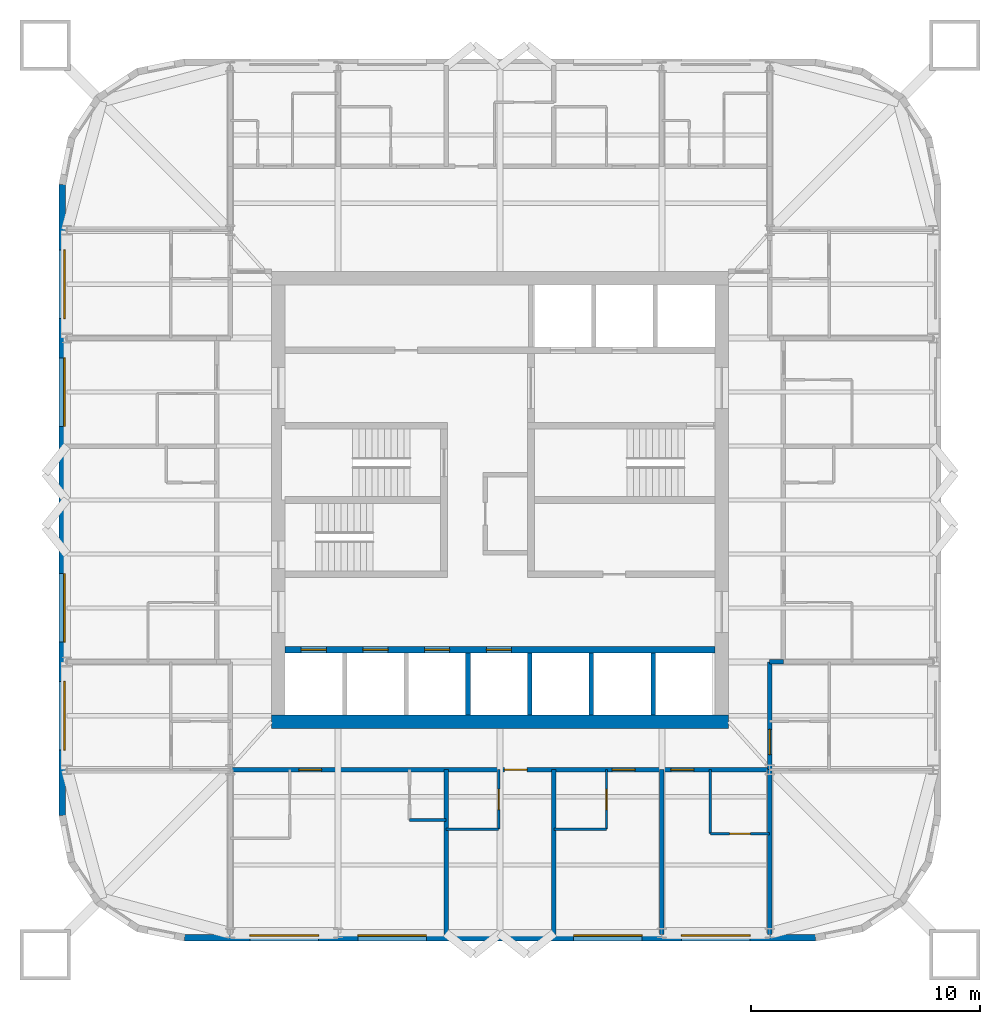
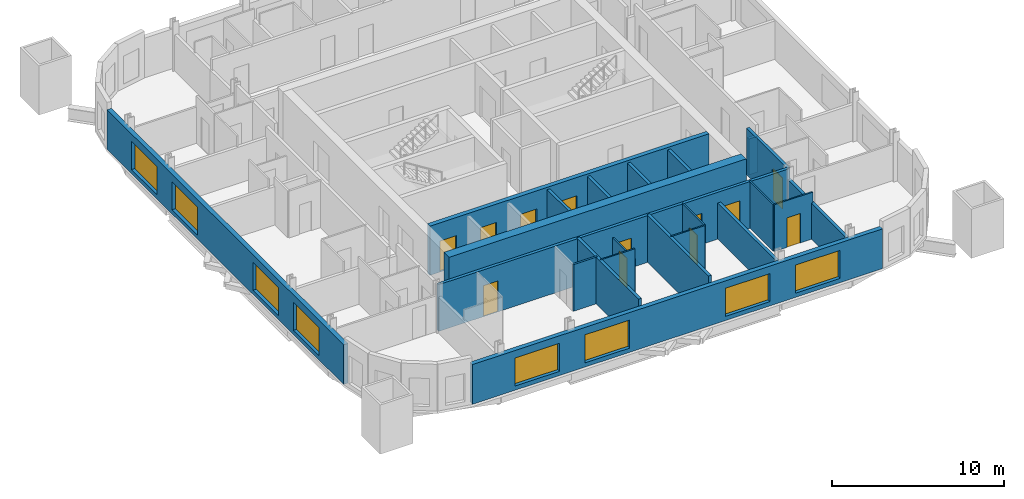
# One storey, part 3 of 9: 22 walls, 12 doors, 8 windows, 20 openings.
"""IFC4 building model written with IfcOpenShell, lengths in metres."""

from ifc_helpers import new_model, si_unit, direction, frame, frame_2d, origin, place, context, subcontext, project, spatial, rectangle, extrude, material, layer, layer_set, type_object, element, fill, save


model = new_model("IFC4")

# Units and contexts
model_context = context("Model", 3, precision=1e-05, world=origin(), true_north=direction((0.0, 1.0)))
body_context = subcontext(model_context, "Body", "Model", "MODEL_VIEW")
ifc_project = project(units=[si_unit("LENGTHUNIT", "METRE"), si_unit("AREAUNIT", "SQUARE_METRE"), si_unit("VOLUMEUNIT", "CUBIC_METRE"), si_unit("PLANEANGLEUNIT", "RADIAN"), si_unit("MASSUNIT", "GRAM", prefix="KILO")], contexts=[model_context])

# Site, building, storey
site_placement = place(None, origin())
site = spatial("IfcSite", under=ifc_project, at=site_placement, CompositionType="ELEMENT")
building_placement = place(site_placement, origin())
building = spatial("IfcBuilding", under=site, at=building_placement, Name="Turquesa Mirador Hotel Tower", CompositionType="ELEMENT")
storey_placement = place(building_placement, frame((0.0, 0.0, 189.800048828125)))
storey = spatial("IfcBuildingStorey", under=building, at=storey_placement, Name="L51", CompositionType="ELEMENT", Elevation=189.800048828125)

# Walls
ifc_material_1 = material(Name="Gypsum board on steel studs", Category="steel")
ifc_layer_1 = layer(ifc_material_1, 0.10009765625)
ifc_layer_set_1 = layer_set([ifc_layer_1], Name="BATHROOM WALL 100")
wall_type_1 = type_object("IfcWallType", Name="BATHROOM WALL 100", PredefinedType="PARTITIONING", material=ifc_layer_set_1)
wall_1_placement = place(storey_placement, frame((52.639892578125, 30.60009765625, 0.0), z_axis=(0.0, 0.0, 1.0), x_axis=(1.0, 0.0, 0.0)))
element("IfcWall", 1, at=wall_1_placement, inside=storey, type_object=wall_type_1, Name="Partition L51 005", PredefinedType="PARTITIONING", context=body_context, shape_type="SweptSolid", body=[
    extrude(rectangle(XDim=2.300048828125, YDim=0.10009765625, at=frame_2d((1.14990234375, 0.0))), origin(), (0.0, 0.0, 1.0), 3.329833984375),
])
wall_2_placement = place(storey_placement, frame((57.360107421875, 30.60009765625, 0.0), z_axis=(0.0, 0.0, 1.0), x_axis=(1.0, 0.0, 0.0)))
element("IfcWall", 2, at=wall_2_placement, inside=storey, type_object=wall_type_1, Name="Partition L51 006", PredefinedType="PARTITIONING", context=body_context, shape_type="SweptSolid", body=[
    extrude(rectangle(XDim=2.2998046875, YDim=0.10009765625, at=frame_2d((1.14990234375, 0.0))), origin(), (0.0, 0.0, 1.0), 3.329833984375),
])

# Wall, opening, door
wall_3_placement = place(storey_placement, frame((64.199951171875, 30.39990234375, 0.0), z_axis=(0.0, 0.0, 1.0), x_axis=(1.0, 0.0, 0.0)))
wall_3 = element("IfcWall", 3, at=wall_3_placement, inside=storey, type_object=wall_type_1, Name="Partition L51 007", PredefinedType="PARTITIONING", context=body_context, shape_type="SweptSolid", body=[
    extrude(rectangle(XDim=2.60009765625, YDim=0.10009765625, at=frame_2d((1.300048828125, 0.0))), origin(), (0.0, 0.0, 1.0), 3.329833984375),
])
opening_1_placement = place(wall_3_placement, frame((0.85009765625, 0.0, 0.0)))
opening_1 = element("IfcOpeningElement", 4, at=opening_1_placement, cuts=wall_3, Name="Opening D02", PredefinedType="OPENING", context=body_context, shape_type="SweptSolid", body=[
    extrude(rectangle(XDim=0.89990234375, YDim=2.10009765625, at=frame_2d((0.449951171875, 1.050048828125))), frame((0.0, 0.06005859375, 0.0), z_axis=(0.0, -1.0, 0.0), x_axis=(1.0, 0.0, 0.0)), (0.0, 0.0, 1.0), 0.1201171875),
])
ifc_material_2 = material(Name="Timber veneered door", Category="wood")
door_type_1 = type_object("IfcDoorType", Name="DOOR 900X2100 EN-SUITE", OperationType="SINGLE_SWING_RIGHT", PredefinedType="DOOR", material=ifc_material_2)
door_1_placement = place(opening_1_placement, origin())
door_1 = element("IfcDoor", 5, at=door_1_placement, inside=storey, type_object=door_type_1, Name="Door 5109B", OperationType="SINGLE_SWING_RIGHT", OverallHeight=2.10009765625, OverallWidth=0.89990234375, PredefinedType="DOOR", context=body_context, shape_type="SweptSolid", body=[
    extrude(rectangle(XDim=0.89990234375, YDim=2.10009765625, at=frame_2d((0.449951171875, 1.050048828125))), frame((0.0, 0.02490234375, 0.0), z_axis=(0.0, -1.0, 0.0), x_axis=(1.0, 0.0, 0.0)), (0.0, 0.0, 1.0), 0.050048828125),
])
fill(opening_1, door_1)

wall_4_placement = place(storey_placement, frame((54.93994140625, 30.60009765625, 0.0), z_axis=(0.0, 0.0, 1.0), x_axis=(0.0, 1.0, 0.0)))
wall_4 = element("IfcWall", 6, at=wall_4_placement, inside=storey, type_object=wall_type_1, Name="Partition L51 041", PredefinedType="PARTITIONING", context=body_context, shape_type="SweptSolid", body=[
    extrude(rectangle(XDim=2.599853515625, YDim=0.10009765625, at=frame_2d((1.2998046875, 0.0))), origin(), (0.0, 0.0, 1.0), 2.572998046875),
])
opening_2_placement = place(wall_4_placement, frame((0.85009765625, 0.0, 0.0)))
opening_2 = element("IfcOpeningElement", 7, at=opening_2_placement, cuts=wall_4, Name="Opening D02", PredefinedType="OPENING", context=body_context, shape_type="SweptSolid", body=[
    extrude(rectangle(XDim=0.89990234375, YDim=2.10009765625, at=frame_2d((0.449951171875, 1.050048828125))), frame((0.0, 0.06005859375, 0.0), z_axis=(0.0, -1.0, 0.0), x_axis=(1.0, 0.0, 0.0)), (0.0, 0.0, 1.0), 0.1201171875),
])
door_2_placement = place(opening_2_placement, origin())
door_2 = element("IfcDoor", 8, at=door_2_placement, inside=storey, type_object=door_type_1, Name="Door 5107B", OperationType="SINGLE_SWING_RIGHT", OverallHeight=2.10009765625, OverallWidth=0.89990234375, PredefinedType="DOOR", context=body_context, shape_type="SweptSolid", body=[
    extrude(rectangle(XDim=0.89990234375, YDim=2.10009765625, at=frame_2d((0.449951171875, 1.050048828125))), frame((0.0, 0.02490234375, 0.0), z_axis=(0.0, -1.0, 0.0), x_axis=(1.0, 0.0, 0.0)), (0.0, 0.0, 1.0), 0.050048828125),
])
fill(opening_2, door_2)

wall_5_placement = place(storey_placement, frame((59.659912109375, 30.60009765625, 0.0), z_axis=(0.0, 0.0, 1.0), x_axis=(0.0, 1.0, 0.0)))
wall_5 = element("IfcWall", 9, at=wall_5_placement, inside=storey, type_object=wall_type_1, Name="Partition L51 078", PredefinedType="PARTITIONING", context=body_context, shape_type="SweptSolid", body=[
    extrude(rectangle(XDim=2.599853515625, YDim=0.10009765625, at=frame_2d((1.2998046875, 0.0))), origin(), (0.0, 0.0, 1.0), 3.329833984375),
])
opening_3_placement = place(wall_5_placement, frame((0.85009765625, 0.0, 0.0)))
opening_3 = element("IfcOpeningElement", 10, at=opening_3_placement, cuts=wall_5, Name="Opening D02", PredefinedType="OPENING", context=body_context, shape_type="SweptSolid", body=[
    extrude(rectangle(XDim=0.89990234375, YDim=2.10009765625, at=frame_2d((0.449951171875, 1.050048828125))), frame((0.0, 0.06005859375, 0.0), z_axis=(0.0, -1.0, 0.0), x_axis=(1.0, 0.0, 0.0)), (0.0, 0.0, 1.0), 0.1201171875),
])
door_3_placement = place(opening_3_placement, origin())
door_3 = element("IfcDoor", 11, at=door_3_placement, inside=storey, type_object=door_type_1, Name="Door 5108B", OperationType="SINGLE_SWING_RIGHT", OverallHeight=2.10009765625, OverallWidth=0.89990234375, PredefinedType="DOOR", context=body_context, shape_type="SweptSolid", body=[
    extrude(rectangle(XDim=0.89990234375, YDim=2.10009765625, at=frame_2d((0.449951171875, 1.050048828125))), frame((0.0, 0.02490234375, 0.0), z_axis=(0.0, -1.0, 0.0), x_axis=(1.0, 0.0, 0.0)), (0.0, 0.0, 1.0), 0.050048828125),
])
fill(opening_3, door_3)

# Wall
wall_6_placement = place(storey_placement, frame((64.199951171875, 30.39990234375, 0.0), z_axis=(0.0, 0.0, 1.0), x_axis=(0.0, 1.0, 0.0)))
element("IfcWall", 12, at=wall_6_placement, inside=storey, type_object=wall_type_1, Name="Partition L51 083", PredefinedType="PARTITIONING", context=body_context, shape_type="SweptSolid", body=[
    extrude(rectangle(XDim=2.800048828125, YDim=0.10009765625, at=frame_2d((1.39990234375, 0.0))), origin(), (0.0, 0.0, 1.0), 3.329833984375),
])

# Wall, openings, doors
ifc_material_3 = material(Name="Concrete C50/60", Category="concrete")
ifc_layer_2 = layer(ifc_material_3, 0.300048828125)
ifc_layer_set_2 = layer_set([ifc_layer_2], Name="CORE INNER WALL 300")
wall_type_2 = type_object("IfcWallType", Name="CORE INNER WALL 300", PredefinedType="SHEAR", material=ifc_layer_set_2)
wall_7_placement = place(storey_placement, frame((45.60009765625, 38.449951171875, 0.0), z_axis=(0.0, 0.0, 1.0), x_axis=(1.0, 0.0, 0.0)))
wall_7 = element("IfcWall", 13, at=wall_7_placement, inside=storey, type_object=wall_type_2, Name="Core wall SL", PredefinedType="SHEAR", context=body_context, shape_type="SweptSolid", body=[
    extrude(rectangle(XDim=18.7998046875, YDim=0.300048828125, at=frame_2d((9.39990234375, 0.0))), origin(), (0.0, 0.0, 1.0), 3.5),
])
opening_4_placement = place(wall_7_placement, frame((0.699951171875, 0.0, 0.0)))
opening_4 = element("IfcOpeningElement", 14, at=opening_4_placement, cuts=wall_7, Name="Opening LD", PredefinedType="OPENING", context=body_context, shape_type="SweptSolid", body=[
    extrude(rectangle(XDim=1.10009765625, YDim=2.199951171875, at=frame_2d((0.550048828125, 1.10009765625))), frame((0.0, 0.159912109375, 0.0), z_axis=(0.0, -1.0, 0.0), x_axis=(1.0, 0.0, 0.0)), (0.0, 0.0, 1.0), 0.320068359375),
])
opening_5_placement = place(wall_7_placement, frame((3.39990234375, 0.0, 0.0)))
opening_5 = element("IfcOpeningElement", 15, at=opening_5_placement, cuts=wall_7, Name="Opening LD", PredefinedType="OPENING", context=body_context, shape_type="SweptSolid", body=[
    extrude(rectangle(XDim=1.10009765625, YDim=2.199951171875, at=frame_2d((0.550048828125, 1.10009765625))), frame((0.0, 0.159912109375, 0.0), z_axis=(0.0, -1.0, 0.0), x_axis=(1.0, 0.0, 0.0)), (0.0, 0.0, 1.0), 0.320068359375),
])
opening_6_placement = place(wall_7_placement, frame((6.10009765625, 0.0, 0.0)))
opening_6 = element("IfcOpeningElement", 16, at=opening_6_placement, cuts=wall_7, Name="Opening LD", PredefinedType="OPENING", context=body_context, shape_type="SweptSolid", body=[
    extrude(rectangle(XDim=1.10009765625, YDim=2.199951171875, at=frame_2d((0.550048828125, 1.10009765625))), frame((0.0, 0.159912109375, 0.0), z_axis=(0.0, -1.0, 0.0), x_axis=(1.0, 0.0, 0.0)), (0.0, 0.0, 1.0), 0.320068359375),
])
opening_7_placement = place(wall_7_placement, frame((8.800048828125, 0.0, 0.0)))
opening_7 = element("IfcOpeningElement", 17, at=opening_7_placement, cuts=wall_7, Name="Opening LD", PredefinedType="OPENING", context=body_context, shape_type="SweptSolid", body=[
    extrude(rectangle(XDim=1.10009765625, YDim=2.199951171875, at=frame_2d((0.550048828125, 1.10009765625))), frame((0.0, 0.159912109375, 0.0), z_axis=(0.0, -1.0, 0.0), x_axis=(1.0, 0.0, 0.0)), (0.0, 0.0, 1.0), 0.320068359375),
])
ifc_material_4 = material(Name="Stainless steel lift landing door", Category="steel")
door_type_2 = type_object("IfcDoorType", Name="LIFT LANDING DOOR 1100X2200", OperationType="SLIDING_TO_LEFT", PredefinedType="DOOR", material=ifc_material_4)
door_4_placement = place(opening_4_placement, origin())
door_4 = element("IfcDoor", 18, at=door_4_placement, inside=storey, type_object=door_type_2, Name="Lift B1 landing door", OperationType="SLIDING_TO_LEFT", OverallHeight=2.199951171875, OverallWidth=1.10009765625, PredefinedType="DOOR", context=body_context, shape_type="SweptSolid", body=[
    extrude(rectangle(XDim=1.10009765625, YDim=2.199951171875, at=frame_2d((0.550048828125, 1.10009765625))), frame((0.0, 0.02490234375, 0.0), z_axis=(0.0, -1.0, 0.0), x_axis=(1.0, 0.0, 0.0)), (0.0, 0.0, 1.0), 0.050048828125),
])
fill(opening_4, door_4)
door_5_placement = place(opening_5_placement, origin())
door_5 = element("IfcDoor", 19, at=door_5_placement, inside=storey, type_object=door_type_2, Name="Lift B2 landing door", OperationType="SLIDING_TO_LEFT", OverallHeight=2.199951171875, OverallWidth=1.10009765625, PredefinedType="DOOR", context=body_context, shape_type="SweptSolid", body=[
    extrude(rectangle(XDim=1.10009765625, YDim=2.199951171875, at=frame_2d((0.550048828125, 1.10009765625))), frame((0.0, 0.02490234375, 0.0), z_axis=(0.0, -1.0, 0.0), x_axis=(1.0, 0.0, 0.0)), (0.0, 0.0, 1.0), 0.050048828125),
])
fill(opening_5, door_5)
door_6_placement = place(opening_6_placement, origin())
door_6 = element("IfcDoor", 20, at=door_6_placement, inside=storey, type_object=door_type_2, Name="Lift B3 landing door", OperationType="SLIDING_TO_LEFT", OverallHeight=2.199951171875, OverallWidth=1.10009765625, PredefinedType="DOOR", context=body_context, shape_type="SweptSolid", body=[
    extrude(rectangle(XDim=1.10009765625, YDim=2.199951171875, at=frame_2d((0.550048828125, 1.10009765625))), frame((0.0, 0.02490234375, 0.0), z_axis=(0.0, -1.0, 0.0), x_axis=(1.0, 0.0, 0.0)), (0.0, 0.0, 1.0), 0.050048828125),
])
fill(opening_6, door_6)
door_7_placement = place(opening_7_placement, origin())
door_7 = element("IfcDoor", 21, at=door_7_placement, inside=storey, type_object=door_type_2, Name="Lift B4 landing door", OperationType="SLIDING_TO_LEFT", OverallHeight=2.199951171875, OverallWidth=1.10009765625, PredefinedType="DOOR", context=body_context, shape_type="SweptSolid", body=[
    extrude(rectangle(XDim=1.10009765625, YDim=2.199951171875, at=frame_2d((0.550048828125, 1.10009765625))), frame((0.0, 0.02490234375, 0.0), z_axis=(0.0, -1.0, 0.0), x_axis=(1.0, 0.0, 0.0)), (0.0, 0.0, 1.0), 0.050048828125),
])
fill(opening_7, door_7)

# Wall
ifc_material_5 = material(Name="Concrete C50/60", Category="concrete")
ifc_layer_3 = layer(ifc_material_5, 0.60009765625)
ifc_layer_set_3 = layer_set([ifc_layer_3], Name="CORE WALL 600")
wall_type_3 = type_object("IfcWallType", Name="CORE WALL 600", PredefinedType="SHEAR", material=ifc_layer_set_3)
wall_8_placement = place(storey_placement, frame((45.0, 35.300048828125, 0.0), z_axis=(0.0, 0.0, 1.0), x_axis=(1.0, 0.0, 0.0)))
element("IfcWall", 22, at=wall_8_placement, inside=storey, type_object=wall_type_3, Name="Core wall S", PredefinedType="SHEAR", context=body_context, shape_type="SweptSolid", body=[
    extrude(rectangle(XDim=20.0, YDim=0.60009765625, at=frame_2d((10.0, 0.0))), origin(), (0.0, 0.0, 1.0), 3.5),
])

# Wall, openings, doors
ifc_material_6 = material(Name="Fire-rated gypsum board on steel studs", Category="steel")
ifc_layer_4 = layer(ifc_material_6, 0.199951171875)
ifc_layer_set_4 = layer_set([ifc_layer_4], Name="CORRIDOR WALL 200")
wall_type_4 = type_object("IfcWallType", Name="CORRIDOR WALL 200", PredefinedType="PARTITIONING", material=ifc_layer_set_4)
wall_9_placement = place(storey_placement, frame((43.199951171875, 33.199951171875, 0.0), z_axis=(0.0, 0.0, 1.0), x_axis=(1.0, 0.0, 0.0)))
wall_9 = element("IfcWall", 23, at=wall_9_placement, inside=storey, type_object=wall_type_4, Name="Partition L51 001", PredefinedType="PARTITIONING", context=body_context, shape_type="SweptSolid", body=[
    extrude(rectangle(XDim=23.60009765625, YDim=0.199951171875, at=frame_2d((11.800048828125, 0.0))), origin(), (0.0, 0.0, 1.0), 3.329833984375),
])
opening_8_placement = place(wall_9_placement, frame((3.0, 0.0, 0.0)))
opening_8 = element("IfcOpeningElement", 24, at=opening_8_placement, cuts=wall_9, Name="Opening D01", PredefinedType="OPENING", context=body_context, shape_type="SweptSolid", body=[
    extrude(rectangle(XDim=1.0, YDim=2.199951171875, at=frame_2d((0.5, 1.10009765625))), frame((0.0, 0.10986328125, 0.0), z_axis=(0.0, -1.0, 0.0), x_axis=(1.0, 0.0, 0.0)), (0.0, 0.0, 1.0), 0.219970703125),
])
opening_9_placement = place(wall_9_placement, frame((11.989990234375, 0.0, 0.0)))
opening_9 = element("IfcOpeningElement", 25, at=opening_9_placement, cuts=wall_9, Name="Opening D05", PredefinedType="OPENING", context=body_context, shape_type="SweptSolid", body=[
    extrude(rectangle(XDim=1.0, YDim=2.10009765625, at=frame_2d((0.5, 1.050048828125))), frame((0.0, 0.10986328125, 0.0), z_axis=(0.0, -1.0, 0.0), x_axis=(1.0, 0.0, 0.0)), (0.0, 0.0, 1.0), 0.219970703125),
])
opening_10_placement = place(wall_9_placement, frame((16.7099609375, 0.0, 0.0)))
opening_10 = element("IfcOpeningElement", 26, at=opening_10_placement, cuts=wall_9, Name="Opening D01", PredefinedType="OPENING", context=body_context, shape_type="SweptSolid", body=[
    extrude(rectangle(XDim=1.0, YDim=2.199951171875, at=frame_2d((0.5, 1.10009765625))), frame((0.0, 0.10986328125, 0.0), z_axis=(0.0, -1.0, 0.0), x_axis=(1.0, 0.0, 0.0)), (0.0, 0.0, 1.0), 0.219970703125),
])
opening_11_placement = place(wall_9_placement, frame((19.280029296875, 0.0, 0.0)))
opening_11 = element("IfcOpeningElement", 27, at=opening_11_placement, cuts=wall_9, Name="Opening D01", PredefinedType="OPENING", context=body_context, shape_type="SweptSolid", body=[
    extrude(rectangle(XDim=1.0, YDim=2.199951171875, at=frame_2d((0.5, 1.10009765625))), frame((0.0, 0.10986328125, 0.0), z_axis=(0.0, -1.0, 0.0), x_axis=(1.0, 0.0, 0.0)), (0.0, 0.0, 1.0), 0.219970703125),
])
ifc_material_7 = material(Name="Steel fire door", Category="steel")
door_type_3 = type_object("IfcDoorType", Name="DOOR 1000X2100 SERVICE", OperationType="SINGLE_SWING_LEFT", PredefinedType="DOOR", material=ifc_material_7)
door_8_placement = place(opening_9_placement, origin())
door_8 = element("IfcDoor", 28, at=door_8_placement, inside=storey, type_object=door_type_3, Name="Door 5107", OperationType="SINGLE_SWING_LEFT", OverallHeight=2.10009765625, OverallWidth=1.0, PredefinedType="DOOR", context=body_context, shape_type="SweptSolid", body=[
    extrude(rectangle(XDim=1.0, YDim=2.10009765625, at=frame_2d((0.5, 1.050048828125))), frame((0.0, 0.02490234375, 0.0), z_axis=(0.0, -1.0, 0.0), x_axis=(1.0, 0.0, 0.0)), (0.0, 0.0, 1.0), 0.050048828125),
])
fill(opening_9, door_8)
ifc_material_8 = material(Name="Timber veneered fire door", Category="wood")
door_type_4 = type_object("IfcDoorType", Name="DOOR 1000X2200 GUEST ENTRY", OperationType="SINGLE_SWING_LEFT", PredefinedType="DOOR", material=ifc_material_8)
door_9_placement = place(opening_8_placement, origin())
door_9 = element("IfcDoor", 29, at=door_9_placement, inside=storey, type_object=door_type_4, Name="Door 5106", OperationType="SINGLE_SWING_LEFT", OverallHeight=2.199951171875, OverallWidth=1.0, PredefinedType="DOOR", context=body_context, shape_type="SweptSolid", body=[
    extrude(rectangle(XDim=1.0, YDim=2.199951171875, at=frame_2d((0.5, 1.10009765625))), frame((0.0, 0.02490234375, 0.0), z_axis=(0.0, -1.0, 0.0), x_axis=(1.0, 0.0, 0.0)), (0.0, 0.0, 1.0), 0.050048828125),
])
fill(opening_8, door_9)
door_10_placement = place(opening_10_placement, origin())
door_10 = element("IfcDoor", 30, at=door_10_placement, inside=storey, type_object=door_type_4, Name="Door 5108", OperationType="SINGLE_SWING_LEFT", OverallHeight=2.199951171875, OverallWidth=1.0, PredefinedType="DOOR", context=body_context, shape_type="SweptSolid", body=[
    extrude(rectangle(XDim=1.0, YDim=2.199951171875, at=frame_2d((0.5, 1.10009765625))), frame((0.0, 0.02490234375, 0.0), z_axis=(0.0, -1.0, 0.0), x_axis=(1.0, 0.0, 0.0)), (0.0, 0.0, 1.0), 0.050048828125),
])
fill(opening_10, door_10)
door_11_placement = place(opening_11_placement, origin())
door_11 = element("IfcDoor", 31, at=door_11_placement, inside=storey, type_object=door_type_4, Name="Door 5109", OperationType="SINGLE_SWING_LEFT", OverallHeight=2.199951171875, OverallWidth=1.0, PredefinedType="DOOR", context=body_context, shape_type="SweptSolid", body=[
    extrude(rectangle(XDim=1.0, YDim=2.199951171875, at=frame_2d((0.5, 1.10009765625))), frame((0.0, 0.02490234375, 0.0), z_axis=(0.0, -1.0, 0.0), x_axis=(1.0, 0.0, 0.0)), (0.0, 0.0, 1.0), 0.050048828125),
])
fill(opening_11, door_11)

# Wall
wall_10_placement = place(storey_placement, frame((66.800048828125, 37.919921875, 0.0), z_axis=(0.0, 0.0, 1.0), x_axis=(1.0, 0.0, 0.0)))
element("IfcWall", 32, at=wall_10_placement, inside=storey, type_object=wall_type_4, Name="Partition L51 012", PredefinedType="PARTITIONING", context=body_context, shape_type="SweptSolid", body=[
    extrude(rectangle(XDim=0.599853515625, YDim=0.199951171875, at=frame_2d((0.2998046875, 0.0))), origin(), (0.0, 0.0, 1.0), 2.572998046875),
])

# Wall, opening, door
wall_11_placement = place(storey_placement, frame((66.800048828125, 33.199951171875, 0.0), z_axis=(0.0, 0.0, 1.0), x_axis=(0.0, 1.0, 0.0)))
wall_11 = element("IfcWall", 33, at=wall_11_placement, inside=storey, type_object=wall_type_4, Name="Partition L51 063", PredefinedType="PARTITIONING", context=body_context, shape_type="SweptSolid", body=[
    extrude(rectangle(XDim=4.719970703125, YDim=0.199951171875, at=frame_2d((2.35986328125, 0.0))), origin(), (0.0, 0.0, 1.0), 3.329833984375),
])
opening_12_placement = place(wall_11_placement, frame((0.659912109375, 0.0, 0.0)))
opening_12 = element("IfcOpeningElement", 34, at=opening_12_placement, cuts=wall_11, Name="Opening D15", PredefinedType="OPENING", context=body_context, shape_type="SweptSolid", body=[
    extrude(rectangle(XDim=1.10009765625, YDim=2.199951171875, at=frame_2d((0.550048828125, 1.10009765625))), frame((0.0, 0.10986328125, 0.0), z_axis=(0.0, -1.0, 0.0), x_axis=(1.0, 0.0, 0.0)), (0.0, 0.0, 1.0), 0.219970703125),
])
ifc_material_9 = material(Name="Timber veneered fire door", Category="wood")
door_type_5 = type_object("IfcDoorType", Name="DOOR 1100X2200 SUITE ENTRY", OperationType="SINGLE_SWING_LEFT", PredefinedType="DOOR", material=ifc_material_9)
door_12_placement = place(opening_12_placement, origin())
door_12 = element("IfcDoor", 35, at=door_12_placement, inside=storey, type_object=door_type_5, Name="Door 5117H", OperationType="SINGLE_SWING_LEFT", OverallHeight=2.199951171875, OverallWidth=1.10009765625, PredefinedType="DOOR", context=body_context, shape_type="SweptSolid", body=[
    extrude(rectangle(XDim=1.10009765625, YDim=2.199951171875, at=frame_2d((0.550048828125, 1.10009765625))), frame((0.0, 0.02490234375, 0.0), z_axis=(0.0, -1.0, 0.0), x_axis=(1.0, 0.0, 0.0)), (0.0, 0.0, 1.0), 0.050048828125),
])
fill(opening_12, door_12)

# Wall, openings, windows
ifc_material_10 = material(Name="Limestone cladding on concrete block", Category="masonry")
ifc_layer_5 = layer(ifc_material_10, 0.300048828125)
ifc_layer_set_5 = layer_set([ifc_layer_5], Name="FACADE WALL 300 STONE SCREEN")
wall_type_5 = type_object("IfcWallType", Name="FACADE WALL 300 STONE SCREEN", PredefinedType="SOLIDWALL", material=ifc_layer_set_5)
wall_12_placement = place(storey_placement, frame((35.85009765625, 58.800048828125, 0.0), z_axis=(0.0, 0.0, 1.0), x_axis=(0.0, -1.0, 0.0)))
wall_12 = element("IfcWall", 36, at=wall_12_placement, inside=storey, type_object=wall_type_5, Name="Facade wall L51 14", PredefinedType="SOLIDWALL", context=body_context, shape_type="SweptSolid", body=[
    extrude(rectangle(XDim=27.60009765625, YDim=0.300048828125, at=frame_2d((13.800048828125, 0.0))), origin(), (0.0, 0.0, 1.0), 2.829833984375),
])
opening_13_placement = place(wall_12_placement, frame((2.860107421875, 0.0, 0.300048828125)))
opening_13 = element("IfcOpeningElement", 37, at=opening_13_placement, cuts=wall_12, Name="Opening WN1", PredefinedType="OPENING", context=body_context, shape_type="SweptSolid", body=[
    extrude(rectangle(XDim=3.0, YDim=2.0, at=frame_2d((1.5, 1.0))), frame((0.0, 0.159912109375, 0.0), z_axis=(0.0, -1.0, 0.0), x_axis=(1.0, 0.0, 0.0)), (0.0, 0.0, 1.0), 0.320068359375),
])
opening_14_placement = place(wall_12_placement, frame((7.580078125, 0.0, 0.300048828125)))
opening_14 = element("IfcOpeningElement", 38, at=opening_14_placement, cuts=wall_12, Name="Opening WN1", PredefinedType="OPENING", context=body_context, shape_type="SweptSolid", body=[
    extrude(rectangle(XDim=3.0, YDim=2.0, at=frame_2d((1.5, 1.0))), frame((0.0, 0.159912109375, 0.0), z_axis=(0.0, -1.0, 0.0), x_axis=(1.0, 0.0, 0.0)), (0.0, 0.0, 1.0), 0.320068359375),
])
opening_15_placement = place(wall_12_placement, frame((17.02001953125, 0.0, 0.300048828125)))
opening_15 = element("IfcOpeningElement", 39, at=opening_15_placement, cuts=wall_12, Name="Opening WN1", PredefinedType="OPENING", context=body_context, shape_type="SweptSolid", body=[
    extrude(rectangle(XDim=3.0, YDim=2.0, at=frame_2d((1.5, 1.0))), frame((0.0, 0.159912109375, 0.0), z_axis=(0.0, -1.0, 0.0), x_axis=(1.0, 0.0, 0.0)), (0.0, 0.0, 1.0), 0.320068359375),
])
opening_16_placement = place(wall_12_placement, frame((21.739990234375, 0.0, 0.300048828125)))
opening_16 = element("IfcOpeningElement", 40, at=opening_16_placement, cuts=wall_12, Name="Opening WN1", PredefinedType="OPENING", context=body_context, shape_type="SweptSolid", body=[
    extrude(rectangle(XDim=3.0, YDim=2.0, at=frame_2d((1.5, 1.0))), frame((0.0, 0.159912109375, 0.0), z_axis=(0.0, -1.0, 0.0), x_axis=(1.0, 0.0, 0.0)), (0.0, 0.0, 1.0), 0.320068359375),
])
ifc_material_11 = material(Name="Ceramic-fritted laminated glass", Category="glass")
window_type = type_object("IfcWindowType", Name="FRITTED WINDOW 3000X2000", PartitioningType="DOUBLE_PANEL_HORIZONTAL", PredefinedType="WINDOW", material=ifc_material_11)
window_1_placement = place(opening_13_placement, origin())
window_1 = element("IfcWindow", 41, at=window_1_placement, inside=storey, type_object=window_type, Name="Window L51", OverallHeight=2.0, OverallWidth=3.0, PartitioningType="SINGLE_PANEL", PredefinedType="WINDOW", context=body_context, shape_type="SweptSolid", body=[
    extrude(rectangle(XDim=3.0, YDim=2.0, at=frame_2d((1.5, 1.0))), frame((0.0, 0.130126953125, 0.0), z_axis=(0.0, -1.0, 0.0), x_axis=(1.0, 0.0, 0.0)), (0.0, 0.0, 1.0), 0.06005859375),
])
fill(opening_13, window_1)
window_2_placement = place(opening_14_placement, origin())
window_2 = element("IfcWindow", 42, at=window_2_placement, inside=storey, type_object=window_type, Name="Window L51", OverallHeight=2.0, OverallWidth=3.0, PartitioningType="SINGLE_PANEL", PredefinedType="WINDOW", context=body_context, shape_type="SweptSolid", body=[
    extrude(rectangle(XDim=3.0, YDim=2.0, at=frame_2d((1.5, 1.0))), frame((0.0, 0.130126953125, 0.0), z_axis=(0.0, -1.0, 0.0), x_axis=(1.0, 0.0, 0.0)), (0.0, 0.0, 1.0), 0.06005859375),
])
fill(opening_14, window_2)
window_3_placement = place(opening_15_placement, origin())
window_3 = element("IfcWindow", 43, at=window_3_placement, inside=storey, type_object=window_type, Name="Window L51", OverallHeight=2.0, OverallWidth=3.0, PartitioningType="SINGLE_PANEL", PredefinedType="WINDOW", context=body_context, shape_type="SweptSolid", body=[
    extrude(rectangle(XDim=3.0, YDim=2.0, at=frame_2d((1.5, 1.0))), frame((0.0, 0.130126953125, 0.0), z_axis=(0.0, -1.0, 0.0), x_axis=(1.0, 0.0, 0.0)), (0.0, 0.0, 1.0), 0.06005859375),
])
fill(opening_15, window_3)
window_4_placement = place(opening_16_placement, origin())
window_4 = element("IfcWindow", 44, at=window_4_placement, inside=storey, type_object=window_type, Name="Window L51", OverallHeight=2.0, OverallWidth=3.0, PartitioningType="SINGLE_PANEL", PredefinedType="WINDOW", context=body_context, shape_type="SweptSolid", body=[
    extrude(rectangle(XDim=3.0, YDim=2.0, at=frame_2d((1.5, 1.0))), frame((0.0, 0.130126953125, 0.0), z_axis=(0.0, -1.0, 0.0), x_axis=(1.0, 0.0, 0.0)), (0.0, 0.0, 1.0), 0.06005859375),
])
fill(opening_16, window_4)

wall_13_placement = place(storey_placement, frame((41.199951171875, 25.85009765625, 0.0), z_axis=(0.0, 0.0, 1.0), x_axis=(1.0, 0.0, 0.0)))
wall_13 = element("IfcWall", 45, at=wall_13_placement, inside=storey, type_object=wall_type_5, Name="Facade wall L51 19", PredefinedType="SOLIDWALL", context=body_context, shape_type="SweptSolid", body=[
    extrude(rectangle(XDim=27.60009765625, YDim=0.300048828125, at=frame_2d((13.800048828125, 0.0))), origin(), (0.0, 0.0, 1.0), 2.829833984375),
])
opening_17_placement = place(wall_13_placement, frame((2.860107421875, 0.0, 0.300048828125)))
opening_17 = element("IfcOpeningElement", 46, at=opening_17_placement, cuts=wall_13, Name="Opening WN1", PredefinedType="OPENING", context=body_context, shape_type="SweptSolid", body=[
    extrude(rectangle(XDim=3.0, YDim=2.0, at=frame_2d((1.5, 1.0))), frame((0.0, 0.159912109375, 0.0), z_axis=(0.0, -1.0, 0.0), x_axis=(1.0, 0.0, 0.0)), (0.0, 0.0, 1.0), 0.320068359375),
])
opening_18_placement = place(wall_13_placement, frame((7.580078125, 0.0, 0.300048828125)))
opening_18 = element("IfcOpeningElement", 47, at=opening_18_placement, cuts=wall_13, Name="Opening WN1", PredefinedType="OPENING", context=body_context, shape_type="SweptSolid", body=[
    extrude(rectangle(XDim=3.0, YDim=2.0, at=frame_2d((1.5, 1.0))), frame((0.0, 0.159912109375, 0.0), z_axis=(0.0, -1.0, 0.0), x_axis=(1.0, 0.0, 0.0)), (0.0, 0.0, 1.0), 0.320068359375),
])
opening_19_placement = place(wall_13_placement, frame((17.02001953125, 0.0, 0.300048828125)))
opening_19 = element("IfcOpeningElement", 48, at=opening_19_placement, cuts=wall_13, Name="Opening WN1", PredefinedType="OPENING", context=body_context, shape_type="SweptSolid", body=[
    extrude(rectangle(XDim=3.0, YDim=2.0, at=frame_2d((1.5, 1.0))), frame((0.0, 0.159912109375, 0.0), z_axis=(0.0, -1.0, 0.0), x_axis=(1.0, 0.0, 0.0)), (0.0, 0.0, 1.0), 0.320068359375),
])
opening_20_placement = place(wall_13_placement, frame((21.739990234375, 0.0, 0.300048828125)))
opening_20 = element("IfcOpeningElement", 49, at=opening_20_placement, cuts=wall_13, Name="Opening WN1", PredefinedType="OPENING", context=body_context, shape_type="SweptSolid", body=[
    extrude(rectangle(XDim=3.0, YDim=2.0, at=frame_2d((1.5, 1.0))), frame((0.0, 0.159912109375, 0.0), z_axis=(0.0, -1.0, 0.0), x_axis=(1.0, 0.0, 0.0)), (0.0, 0.0, 1.0), 0.320068359375),
])
window_5_placement = place(opening_17_placement, origin())
window_5 = element("IfcWindow", 50, at=window_5_placement, inside=storey, type_object=window_type, Name="Window L51", OverallHeight=2.0, OverallWidth=3.0, PartitioningType="SINGLE_PANEL", PredefinedType="WINDOW", context=body_context, shape_type="SweptSolid", body=[
    extrude(rectangle(XDim=3.0, YDim=2.0, at=frame_2d((1.5, 1.0))), frame((0.0, 0.130126953125, 0.0), z_axis=(0.0, -1.0, 0.0), x_axis=(1.0, 0.0, 0.0)), (0.0, 0.0, 1.0), 0.06005859375),
])
fill(opening_17, window_5)
window_6_placement = place(opening_18_placement, origin())
window_6 = element("IfcWindow", 51, at=window_6_placement, inside=storey, type_object=window_type, Name="Window L51", OverallHeight=2.0, OverallWidth=3.0, PartitioningType="SINGLE_PANEL", PredefinedType="WINDOW", context=body_context, shape_type="SweptSolid", body=[
    extrude(rectangle(XDim=3.0, YDim=2.0, at=frame_2d((1.5, 1.0))), frame((0.0, 0.130126953125, 0.0), z_axis=(0.0, -1.0, 0.0), x_axis=(1.0, 0.0, 0.0)), (0.0, 0.0, 1.0), 0.06005859375),
])
fill(opening_18, window_6)
window_7_placement = place(opening_19_placement, origin())
window_7 = element("IfcWindow", 52, at=window_7_placement, inside=storey, type_object=window_type, Name="Window L51", OverallHeight=2.0, OverallWidth=3.0, PartitioningType="SINGLE_PANEL", PredefinedType="WINDOW", context=body_context, shape_type="SweptSolid", body=[
    extrude(rectangle(XDim=3.0, YDim=2.0, at=frame_2d((1.5, 1.0))), frame((0.0, 0.130126953125, 0.0), z_axis=(0.0, -1.0, 0.0), x_axis=(1.0, 0.0, 0.0)), (0.0, 0.0, 1.0), 0.06005859375),
])
fill(opening_19, window_7)
window_8_placement = place(opening_20_placement, origin())
window_8 = element("IfcWindow", 53, at=window_8_placement, inside=storey, type_object=window_type, Name="Window L51", OverallHeight=2.0, OverallWidth=3.0, PartitioningType="SINGLE_PANEL", PredefinedType="WINDOW", context=body_context, shape_type="SweptSolid", body=[
    extrude(rectangle(XDim=3.0, YDim=2.0, at=frame_2d((1.5, 1.0))), frame((0.0, 0.130126953125, 0.0), z_axis=(0.0, -1.0, 0.0), x_axis=(1.0, 0.0, 0.0)), (0.0, 0.0, 1.0), 0.06005859375),
])
fill(opening_20, window_8)

# Walls
ifc_material_12 = material(Name="Fire-rated gypsum shaft wall on steel studs", Category="steel")
ifc_layer_6 = layer(ifc_material_12, 0.199951171875)
ifc_layer_set_6 = layer_set([ifc_layer_6], Name="LIFT SHAFT DIVIDER 200")
wall_type_6 = type_object("IfcWallType", Name="LIFT SHAFT DIVIDER 200", PredefinedType="PARTITIONING", material=ifc_layer_set_6)
for number, where, z_axis, x_axis, name in (
    (54, (53.60009765625, 35.60009765625, 0.0), (0.0, 0.0, 1.0), (0.0, 1.0, 0.0), "Lift shaft divider"),
    (55, (56.300048828125, 35.60009765625, 0.0), (0.0, 0.0, 1.0), (0.0, 1.0, 0.0), "Lift shaft divider"),
    (56, (59.0, 35.60009765625, 0.0), (0.0, 0.0, 1.0), (0.0, 1.0, 0.0), "Lift shaft divider"),
    (57, (61.699951171875, 35.60009765625, 0.0), (0.0, 0.0, 1.0), (0.0, 1.0, 0.0), "Lift shaft divider"),
):
    element("IfcWall", number, at=place(storey_placement, frame(where, z_axis=z_axis, x_axis=x_axis)), inside=storey, type_object=wall_type_6, Name=name, PredefinedType="PARTITIONING", context=body_context, shape_type="SweptSolid", body=[
        extrude(rectangle(XDim=2.699951171875, YDim=0.199951171875, at=frame_2d((1.35009765625, 0.0))), origin(), (0.0, 0.0, 1.0), 3.329833984375),
    ])
ifc_material_13 = material(Name="Fire-rated gypsum board on steel studs", Category="steel")
ifc_layer_7 = layer(ifc_material_13, 0.199951171875)
ifc_layer_set_7 = layer_set([ifc_layer_7], Name="PARTY WALL 200")
wall_type_7 = type_object("IfcWallType", Name="PARTY WALL 200", PredefinedType="PARTITIONING", material=ifc_layer_set_7)
wall_14_placement = place(storey_placement, frame((52.639892578125, 26.0, 0.0), z_axis=(0.0, 0.0, 1.0), x_axis=(0.0, 1.0, 0.0)))
element("IfcWall", 58, at=wall_14_placement, inside=storey, type_object=wall_type_7, Name="Partition L51 056", PredefinedType="PARTITIONING", context=body_context, shape_type="SweptSolid", body=[
    extrude(rectangle(XDim=7.199951171875, YDim=0.199951171875, at=frame_2d((3.60009765625, 0.0))), origin(), (0.0, 0.0, 1.0), 3.329833984375),
])
wall_15_placement = place(storey_placement, frame((66.800048828125, 26.0, 0.0), z_axis=(0.0, 0.0, 1.0), x_axis=(0.0, 1.0, 0.0)))
element("IfcWall", 59, at=wall_15_placement, inside=storey, type_object=wall_type_7, Name="Partition L51 065", PredefinedType="PARTITIONING", context=body_context, shape_type="SweptSolid", body=[
    extrude(rectangle(XDim=7.199951171875, YDim=0.199951171875, at=frame_2d((3.60009765625, 0.0))), origin(), (0.0, 0.0, 1.0), 2.572998046875),
])
wall_16_placement = place(storey_placement, frame((57.360107421875, 26.0, 0.0), z_axis=(0.0, 0.0, 1.0), x_axis=(0.0, 1.0, 0.0)))
element("IfcWall", 60, at=wall_16_placement, inside=storey, type_object=wall_type_7, Name="Partition L51 075", PredefinedType="PARTITIONING", context=body_context, shape_type="SweptSolid", body=[
    extrude(rectangle(XDim=7.199951171875, YDim=0.199951171875, at=frame_2d((3.60009765625, 0.0))), origin(), (0.0, 0.0, 1.0), 3.329833984375),
])
wall_17_placement = place(storey_placement, frame((62.080078125, 26.0, 0.0), z_axis=(0.0, 0.0, 1.0), x_axis=(0.0, 1.0, 0.0)))
element("IfcWall", 61, at=wall_17_placement, inside=storey, type_object=wall_type_7, Name="Partition L51 080", PredefinedType="PARTITIONING", context=body_context, shape_type="SweptSolid", body=[
    extrude(rectangle(XDim=7.199951171875, YDim=0.199951171875, at=frame_2d((3.60009765625, 0.0))), origin(), (0.0, 0.0, 1.0), 2.572998046875),
])
ifc_material_14 = material(Name="Acoustic gypsum board on steel studs", Category="steel")
ifc_layer_8 = layer(ifc_material_14, 0.125)
ifc_layer_set_8 = layer_set([ifc_layer_8], Name="SUITE PARTITION 125")
wall_type_8 = type_object("IfcWallType", Name="SUITE PARTITION 125", PredefinedType="PARTITIONING", material=ifc_layer_set_8)
wall_18_placement = place(storey_placement, frame((51.0400390625, 31.0, 0.0), z_axis=(0.0, 0.0, 1.0), x_axis=(1.0, 0.0, 0.0)))
element("IfcWall", 62, at=wall_18_placement, inside=storey, type_object=wall_type_8, Name="Partition L51 004", PredefinedType="PARTITIONING", context=body_context, shape_type="SweptSolid", body=[
    extrude(rectangle(XDim=1.599853515625, YDim=0.125, at=frame_2d((0.7998046875, 0.0))), origin(), (0.0, 0.0, 1.0), 3.329833984375),
])

save(model, "model.ifc")
